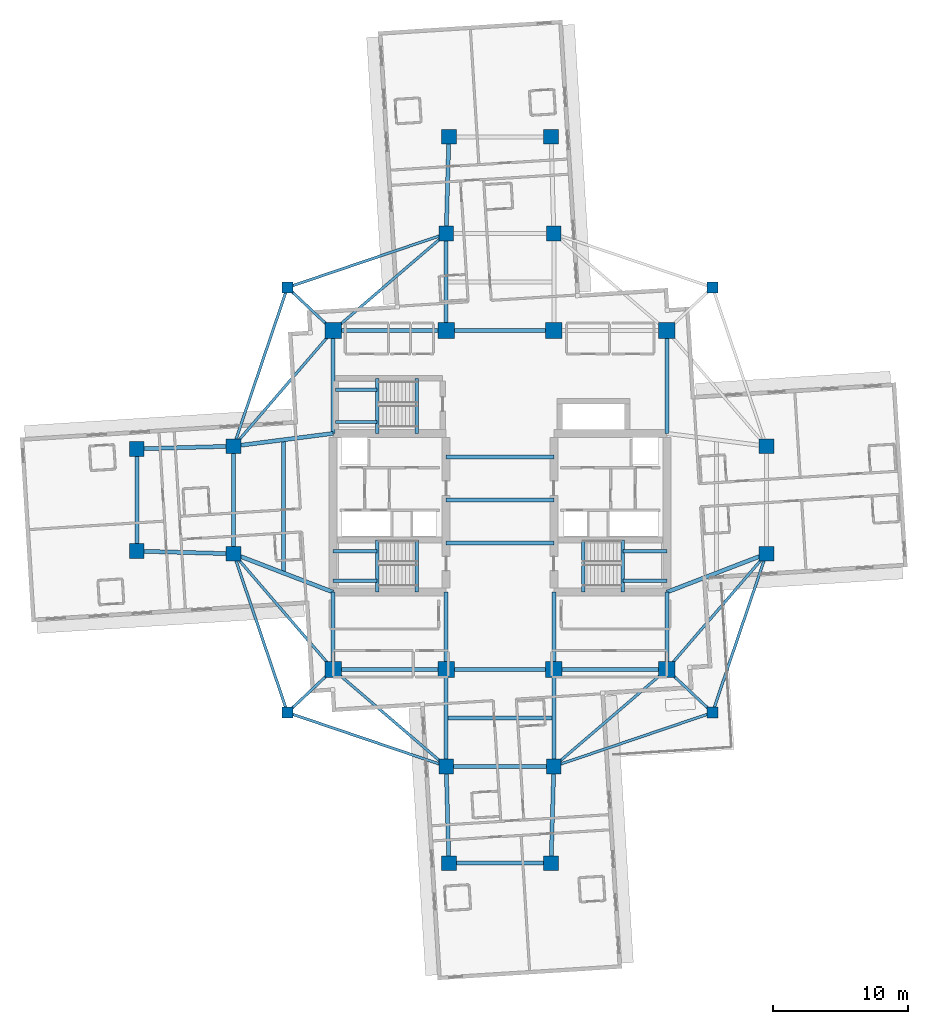
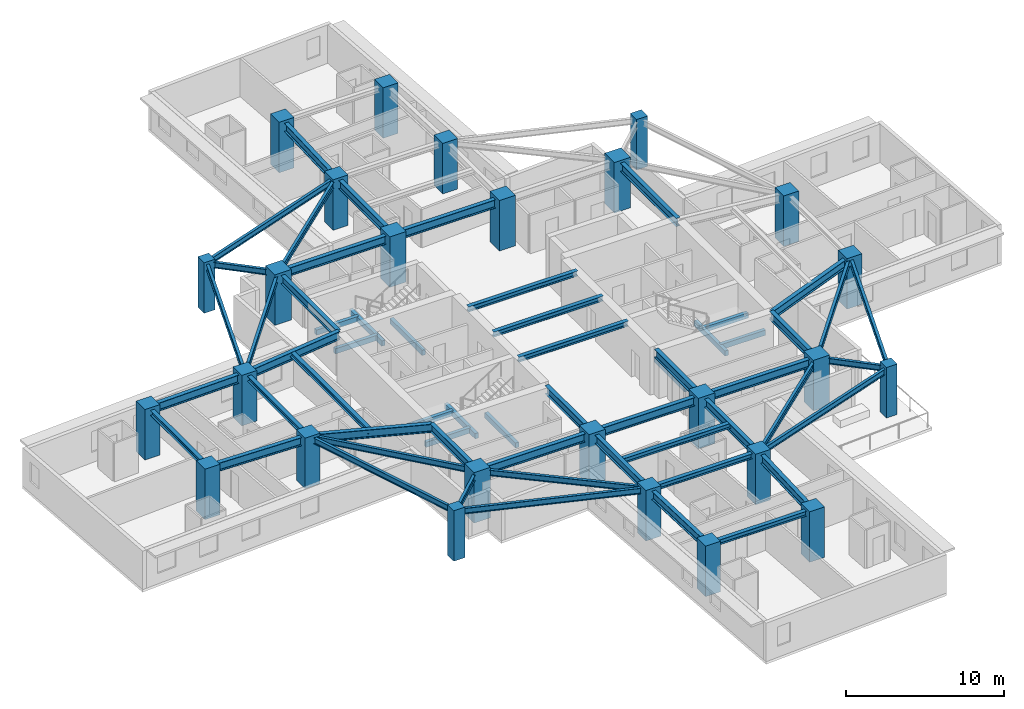
# One storey, part 1 of 14: 58 beams, 26 columns.
"""IFC4 building model written with IfcOpenShell, lengths in metres."""

from ifc_helpers import new_model, si_unit, direction, frame, origin, origin_2d, place, context, subcontext, project, spatial, rectangle, i_section, extrude, material, material_profile, profile_set, type_object, element, save


model = new_model("IFC4")

# Units and contexts
model_context = context("Model", 3, precision=1e-05, world=origin(), true_north=direction((0.0, 1.0)))
body_context = subcontext(model_context, "Body", "Model", "MODEL_VIEW")
ifc_project = project(units=[si_unit("LENGTHUNIT", "METRE"), si_unit("AREAUNIT", "SQUARE_METRE"), si_unit("VOLUMEUNIT", "CUBIC_METRE"), si_unit("PLANEANGLEUNIT", "RADIAN"), si_unit("MASSUNIT", "GRAM", prefix="KILO")], contexts=[model_context])

# Site, building, storey
site_placement = place(None, origin())
site = spatial("IfcSite", under=ifc_project, at=site_placement, CompositionType="ELEMENT")
building_placement = place(site_placement, origin())
building = spatial("IfcBuilding", under=site, at=building_placement, Name="Qingluan Cross Belvedere", CompositionType="ELEMENT")
storey_placement = place(building_placement, frame((0.0, 0.0, 120.300048828125)))
storey = spatial("IfcBuildingStorey", under=building, at=storey_placement, Name="L30", CompositionType="ELEMENT", Elevation=120.300048828125)

# Columns
ifc_material_1 = material(Name="Concrete C60", Category="concrete")
ifc_material_profile_1 = material_profile(ifc_material_1, rectangle(XDim=1.10009765625, YDim=1.10009765625, at=origin_2d()), Name="RC1100x1100")
ifc_profile_set_1 = profile_set([ifc_material_profile_1], Name="Concrete C60")
column_type_1 = type_object("IfcColumnType", Name="Column_RC1100x1100", PredefinedType="COLUMN", material=ifc_profile_set_1)
for number, where, z_axis, x_axis, name in (
    (1, (19.800048828125, -4.0, 0.0), (0.0, 0.0, 1.0), (1.0, 0.0, 0.0), "Arm column L30-EIA"),
    (2, (19.800048828125, 4.0, 0.0), (0.0, 0.0, 1.0), (1.0, 0.0, 0.0), "Arm column L30-EIB"),
    (3, (-19.800048828125, -4.0, 0.0), (0.0, 0.0, 1.0), (1.0, 0.0, 0.0), "Arm column L30-WIA"),
    (4, (-19.800048828125, 4.0, 0.0), (0.0, 0.0, 1.0), (1.0, 0.0, 0.0), "Arm column L30-WIB"),
    (5, (-4.0, -19.800048828125, 0.0), (0.0, 0.0, 1.0), (1.0, 0.0, 0.0), "Arm column L30-SIA"),
    (6, (4.0, -19.800048828125, 0.0), (0.0, 0.0, 1.0), (1.0, 0.0, 0.0), "Arm column L30-SIB"),
    (7, (-4.0, 19.800048828125, 0.0), (0.0, 0.0, 1.0), (1.0, 0.0, 0.0), "Arm column L30-NIA"),
    (8, (4.0, 19.800048828125, 0.0), (0.0, 0.0, 1.0), (1.0, 0.0, 0.0), "Arm column L30-NIB"),
    (9, (-27.0, -3.800048828125, 0.0), (0.0, 0.0, 1.0), (1.0, 0.0, 0.0), "Arm column L30-WOA"),
    (10, (-27.0, 3.800048828125, 0.0), (0.0, 0.0, 1.0), (1.0, 0.0, 0.0), "Arm column L30-WOB"),
    (11, (-3.800048828125, -27.0, 0.0), (0.0, 0.0, 1.0), (1.0, 0.0, 0.0), "Arm column L30-SOA"),
    (12, (3.800048828125, -27.0, 0.0), (0.0, 0.0, 1.0), (1.0, 0.0, 0.0), "Arm column L30-SOB"),
    (13, (-3.800048828125, 27.0, 0.0), (0.0, 0.0, 1.0), (1.0, 0.0, 0.0), "Arm column L30-NOA"),
    (14, (3.800048828125, 27.0, 0.0), (0.0, 0.0, 1.0), (1.0, 0.0, 0.0), "Arm column L30-NOB"),
):
    element("IfcColumn", number, at=place(storey_placement, frame(where, z_axis=z_axis, x_axis=x_axis)), inside=storey, type_object=column_type_1, Name=name, PredefinedType="COLUMN", context=body_context, shape_type="SweptSolid", body=[
        extrude(rectangle(XDim=1.10009765625, YDim=1.10009765625, at=origin_2d()), origin(), (0.0, 0.0, 1.0), 3.89990234375),
    ])
ifc_material_2 = material(Name="Concrete C60", Category="concrete")
ifc_material_profile_2 = material_profile(ifc_material_2, rectangle(XDim=1.199951171875, YDim=1.199951171875, at=origin_2d()), Name="RC1200x1200")
ifc_profile_set_2 = profile_set([ifc_material_profile_2], Name="Concrete C60")
column_type_2 = type_object("IfcColumnType", Name="Column_RC1200x1200", PredefinedType="COLUMN", material=ifc_profile_set_2)
for number, where, z_axis, x_axis, name in (
    (15, (-12.39990234375, -12.60009765625, 0.0), (0.0, 0.0, 1.0), (1.0, 0.0, 0.0), "Hub column L30-HC1"),
    (16, (12.39990234375, -12.60009765625, 0.0), (0.0, 0.0, 1.0), (1.0, 0.0, 0.0), "Hub column L30-HC2"),
    (17, (12.39990234375, 12.60009765625, 0.0), (0.0, 0.0, 1.0), (1.0, 0.0, 0.0), "Hub column L30-HC3"),
    (18, (-12.39990234375, 12.60009765625, 0.0), (0.0, 0.0, 1.0), (1.0, 0.0, 0.0), "Hub column L30-HC4"),
    (19, (-4.0, -12.60009765625, 0.0), (0.0, 0.0, 1.0), (1.0, 0.0, 0.0), "Hub column L30-HC5"),
    (20, (4.0, -12.60009765625, 0.0), (0.0, 0.0, 1.0), (1.0, 0.0, 0.0), "Hub column L30-HC6"),
    (21, (4.0, 12.60009765625, 0.0), (0.0, 0.0, 1.0), (1.0, 0.0, 0.0), "Hub column L30-HC7"),
    (22, (-4.0, 12.60009765625, 0.0), (0.0, 0.0, 1.0), (1.0, 0.0, 0.0), "Hub column L30-HC8"),
):
    element("IfcColumn", number, at=place(storey_placement, frame(where, z_axis=z_axis, x_axis=x_axis)), inside=storey, type_object=column_type_2, Name=name, PredefinedType="COLUMN", context=body_context, shape_type="SweptSolid", body=[
        extrude(rectangle(XDim=1.199951171875, YDim=1.199951171875, at=origin_2d()), origin(), (0.0, 0.0, 1.0), 3.89990234375),
    ])
ifc_material_3 = material(Name="Concrete C50", Category="concrete")
ifc_material_profile_3 = material_profile(ifc_material_3, rectangle(XDim=0.800048828125, YDim=0.800048828125, at=origin_2d()), Name="RC800x800")
ifc_profile_set_3 = profile_set([ifc_material_profile_3], Name="Concrete C50")
column_type_3 = type_object("IfcColumnType", Name="Column_RC800x800", PredefinedType="COLUMN", material=ifc_profile_set_3)
for number, where, z_axis, x_axis, name in (
    (23, (15.800048828125, 15.800048828125, 0.0), (0.0, 0.0, 1.0), (1.0, 0.0, 0.0), "Corner column L30-RNE"),
    (24, (-15.800048828125, 15.800048828125, 0.0), (0.0, 0.0, 1.0), (1.0, 0.0, 0.0), "Corner column L30-RNW"),
    (25, (-15.800048828125, -15.800048828125, 0.0), (0.0, 0.0, 1.0), (1.0, 0.0, 0.0), "Corner column L30-RSW"),
    (26, (15.800048828125, -15.800048828125, 0.0), (0.0, 0.0, 1.0), (1.0, 0.0, 0.0), "Corner column L30-RSE"),
):
    element("IfcColumn", number, at=place(storey_placement, frame(where, z_axis=z_axis, x_axis=x_axis)), inside=storey, type_object=column_type_3, Name=name, PredefinedType="COLUMN", context=body_context, shape_type="SweptSolid", body=[
        extrude(rectangle(XDim=0.800048828125, YDim=0.800048828125, at=origin_2d()), origin(), (0.0, 0.0, 1.0), 3.89990234375),
    ])

# Beams
ifc_material_4 = material(Name="Concrete C45", Category="concrete")
ifc_material_profile_4 = material_profile(ifc_material_4, rectangle(XDim=0.25, YDim=0.39990234375, at=origin_2d()), Name="RC250x400")
ifc_profile_set_4 = profile_set([ifc_material_profile_4], Name="Concrete C45")
beam_type_1 = type_object("IfcBeamType", Name="RC_Lintel_RC250x400", PredefinedType="LINTEL", material=ifc_profile_set_4)
for number, where, z_axis, x_axis, name in (
    (27, (-6.179931640625, -6.85009765625, -0.199951171875), (0.0, 1.0, 0.0), (-1.0, 0.0, 0.0), "Stair ST1 landing beam L30"),
    (28, (6.179931640625, -6.85009765625, -0.199951171875), (0.0, 1.0, 0.0), (-1.0, 0.0, 0.0), "Stair ST2 landing beam L30"),
):
    element("IfcBeam", number, at=place(storey_placement, frame(where, z_axis=z_axis, x_axis=x_axis)), inside=storey, type_object=beam_type_1, Name=name, PredefinedType="LINTEL", context=body_context, shape_type="SweptSolid", body=[
        extrude(rectangle(XDim=0.25, YDim=0.39990234375, at=origin_2d()), origin(), (0.0, 0.0, 1.0), 3.89013671875),
    ])
beam_1_placement = place(storey_placement, frame((-6.179931640625, 4.949951171875, -0.199951171875), z_axis=(0.0, 1.0, 0.0), x_axis=(-1.0, 0.0, 0.0)))
element("IfcBeam", 29, at=beam_1_placement, inside=storey, type_object=beam_type_1, Name="Stair ST3 landing beam L30", PredefinedType="LINTEL", context=body_context, shape_type="SweptSolid", body=[
    extrude(rectangle(XDim=0.25, YDim=0.39990234375, at=origin_2d()), origin(), (0.0, 0.0, 1.0), 4.090087890625),
])
beam_2_placement = place(storey_placement, frame((-9.1298828125, -6.85009765625, 1.550048828125), z_axis=(0.0, 1.0, 0.0), x_axis=(-1.0, 0.0, 0.0)))
element("IfcBeam", 30, at=beam_2_placement, inside=storey, type_object=beam_type_1, Name="Stair ST1 beam A L30", PredefinedType="LINTEL", context=body_context, shape_type="SweptSolid", body=[
    extrude(rectangle(XDim=0.25, YDim=0.39990234375, at=origin_2d()), origin(), (0.0, 0.0, 1.0), 3.89013671875),
])
for number, where, z_axis, x_axis, name in (
    (31, (-12.39990234375, -6.0, 1.550048828125), (1.0, 0.0, 0.0), (0.0, 1.0, 0.0), "Stair ST1 beam B L30"),
    (32, (-12.39990234375, -3.81005859375, 1.550048828125), (1.0, 0.0, 0.0), (0.0, 1.0, 0.0), "Stair ST1 beam C L30"),
):
    element("IfcBeam", number, at=place(storey_placement, frame(where, z_axis=z_axis, x_axis=x_axis)), inside=storey, type_object=beam_type_1, Name=name, PredefinedType="LINTEL", context=body_context, shape_type="SweptSolid", body=[
        extrude(rectangle(XDim=0.25, YDim=0.39990234375, at=origin_2d()), origin(), (0.0, 0.0, 1.0), 3.27001953125),
    ])
beam_3_placement = place(storey_placement, frame((9.1298828125, -6.85009765625, 1.550048828125), z_axis=(0.0, 1.0, 0.0), x_axis=(-1.0, 0.0, 0.0)))
element("IfcBeam", 33, at=beam_3_placement, inside=storey, type_object=beam_type_1, Name="Stair ST2 beam A L30", PredefinedType="LINTEL", context=body_context, shape_type="SweptSolid", body=[
    extrude(rectangle(XDim=0.25, YDim=0.39990234375, at=origin_2d()), origin(), (0.0, 0.0, 1.0), 3.89013671875),
])
for number, where, z_axis, x_axis, name in (
    (34, (12.39990234375, -6.0, 1.550048828125), (-1.0, 0.0, 0.0), (0.0, -1.0, 0.0), "Stair ST2 beam B L30"),
    (35, (12.39990234375, -3.81005859375, 1.550048828125), (-1.0, 0.0, 0.0), (0.0, -1.0, 0.0), "Stair ST2 beam C L30"),
):
    element("IfcBeam", number, at=place(storey_placement, frame(where, z_axis=z_axis, x_axis=x_axis)), inside=storey, type_object=beam_type_1, Name=name, PredefinedType="LINTEL", context=body_context, shape_type="SweptSolid", body=[
        extrude(rectangle(XDim=0.25, YDim=0.39990234375, at=origin_2d()), origin(), (0.0, 0.0, 1.0), 3.27001953125),
    ])
beam_4_placement = place(storey_placement, frame((-9.1298828125, 4.949951171875, 1.550048828125), z_axis=(0.0, 1.0, 0.0), x_axis=(-1.0, 0.0, 0.0)))
element("IfcBeam", 36, at=beam_4_placement, inside=storey, type_object=beam_type_1, Name="Stair ST3 beam A L30", PredefinedType="LINTEL", context=body_context, shape_type="SweptSolid", body=[
    extrude(rectangle(XDim=0.25, YDim=0.39990234375, at=origin_2d()), origin(), (0.0, 0.0, 1.0), 4.090087890625),
])
for number, where, z_axis, x_axis, name in (
    (37, (-12.219970703125, 5.800048828125, 1.550048828125), (1.0, 0.0, 0.0), (0.0, 1.0, 0.0), "Stair ST3 beam B L30"),
    (38, (-12.219970703125, 8.18994140625, 1.550048828125), (1.0, 0.0, 0.0), (0.0, 1.0, 0.0), "Stair ST3 beam C L30"),
):
    element("IfcBeam", number, at=place(storey_placement, frame(where, z_axis=z_axis, x_axis=x_axis)), inside=storey, type_object=beam_type_1, Name=name, PredefinedType="LINTEL", context=body_context, shape_type="SweptSolid", body=[
        extrude(rectangle(XDim=0.25, YDim=0.39990234375, at=origin_2d()), origin(), (0.0, 0.0, 1.0), 3.090087890625),
    ])
ifc_material_5 = material(Name="Steel Q420GJB", Category="steel")
ifc_material_profile_5 = material_profile(ifc_material_5, i_section(OverallWidth=0.300048828125, OverallDepth=0.389892578125, WebThickness=0.010009765625, FlangeThickness=0.01611328125, FilletRadius=0.01806640625, at=origin_2d()), Name="HM390x300x10x16")
ifc_profile_set_5 = profile_set([ifc_material_profile_5], Name="Steel Q420GJB")
beam_type_2 = type_object("IfcBeamType", Name="Steel_Beam_HM390x300x10x16", PredefinedType="BEAM", material=ifc_profile_set_5)
for number, where, z_axis, x_axis, name in (
    (39, (-4.0, -3.199951171875, 3.5048828125), (1.0, 0.0, 0.0), (0.0, 1.0, 0.0), "Hall beam L30-CH1"),
    (40, (-4.0, 0.0, 3.5048828125), (1.0, 0.0, 0.0), (0.0, 1.0, 0.0), "Hall beam L30-CH2"),
    (41, (-4.0, 3.199951171875, 3.5048828125), (1.0, 0.0, 0.0), (0.0, 1.0, 0.0), "Hall beam L30-CH3"),
    (42, (-19.800048828125, -4.0, 3.5048828125), (0.0, 1.0, 0.0), (-1.0, 0.0, 0.0), "Arm W tie L30"),
):
    element("IfcBeam", number, at=place(storey_placement, frame(where, z_axis=z_axis, x_axis=x_axis)), inside=storey, type_object=beam_type_2, Name=name, PredefinedType="BEAM", context=body_context, shape_type="SweptSolid", body=[
        extrude(i_section(OverallWidth=0.300048828125, OverallDepth=0.389892578125, WebThickness=0.010009765625, FlangeThickness=0.01611328125, FilletRadius=0.01806640625, at=origin_2d()), origin(), (0.0, 0.0, 1.0), 8.0),
    ])
beam_5_placement = place(storey_placement, frame((-16.10009765625, -5.425048828125, 3.5048828125), z_axis=(0.0, 1.0, 0.0), x_axis=(-1.0, 0.0, 0.0)))
element("IfcBeam", 43, at=beam_5_placement, inside=storey, type_object=beam_type_2, Name="Arm W beam L30", PredefinedType="BEAM", context=body_context, shape_type="SweptSolid", body=[
    extrude(i_section(OverallWidth=0.300048828125, OverallDepth=0.389892578125, WebThickness=0.010009765625, FlangeThickness=0.01611328125, FilletRadius=0.01806640625, at=origin_2d()), origin(), (0.0, 0.0, 1.0), 9.900146484375),
])
beam_6_placement = place(storey_placement, frame((-27.0, -3.800048828125, 3.5048828125), z_axis=(0.0, 1.0, 0.0), x_axis=(-1.0, 0.0, 0.0)))
element("IfcBeam", 44, at=beam_6_placement, inside=storey, type_object=beam_type_2, Name="Arm W tip transverse beam L30", PredefinedType="BEAM", context=body_context, shape_type="SweptSolid", body=[
    extrude(i_section(OverallWidth=0.300048828125, OverallDepth=0.389892578125, WebThickness=0.010009765625, FlangeThickness=0.01611328125, FilletRadius=0.01806640625, at=origin_2d()), origin(), (0.0, 0.0, 1.0), 7.60009765625),
])
for number, where, z_axis, x_axis, name in (
    (45, (-4.0, -19.800048828125, 3.5048828125), (1.0, 0.0, 0.0), (0.0, 1.0, 0.0), "Arm S tie L30"),
    (46, (-4.0, -16.199951171875, 3.5048828125), (1.0, 0.0, 0.0), (0.0, 1.0, 0.0), "Arm S beam L30"),
):
    element("IfcBeam", number, at=place(storey_placement, frame(where, z_axis=z_axis, x_axis=x_axis)), inside=storey, type_object=beam_type_2, Name=name, PredefinedType="BEAM", context=body_context, shape_type="SweptSolid", body=[
        extrude(i_section(OverallWidth=0.300048828125, OverallDepth=0.389892578125, WebThickness=0.010009765625, FlangeThickness=0.01611328125, FilletRadius=0.01806640625, at=origin_2d()), origin(), (0.0, 0.0, 1.0), 8.0),
    ])
beam_7_placement = place(storey_placement, frame((-3.800048828125, -27.0, 3.5048828125), z_axis=(1.0, 0.0, 0.0), x_axis=(0.0, 1.0, 0.0)))
element("IfcBeam", 47, at=beam_7_placement, inside=storey, type_object=beam_type_2, Name="Arm S tip transverse beam L30", PredefinedType="BEAM", context=body_context, shape_type="SweptSolid", body=[
    extrude(i_section(OverallWidth=0.300048828125, OverallDepth=0.389892578125, WebThickness=0.010009765625, FlangeThickness=0.01611328125, FilletRadius=0.01806640625, at=origin_2d()), origin(), (0.0, 0.0, 1.0), 7.60009765625),
])
ifc_material_6 = material(Name="Steel Q420GJB", Category="steel")
ifc_material_profile_6 = material_profile(ifc_material_6, i_section(OverallWidth=0.199951171875, OverallDepth=0.449951171875, WebThickness=0.009033203125, FlangeThickness=0.013916015625, FilletRadius=0.01611328125, at=origin_2d()), Name="HN450x200x9x14")
ifc_profile_set_6 = profile_set([ifc_material_profile_6], Name="Steel Q420GJB")
beam_type_3 = type_object("IfcBeamType", Name="Steel_Beam_HN450x200x9x14", PredefinedType="JOIST", material=ifc_profile_set_6)
beam_8_placement = place(storey_placement, frame((-12.39990234375, 12.60009765625, 3.474853515625), z_axis=(-0.728219948308, 0.685343495546, 0.0), x_axis=(-0.685343495546, -0.728219948308, 0.0)))
element("IfcBeam", 48, at=beam_8_placement, inside=storey, type_object=beam_type_3, Name="Corner beam 1 L30-RNW", PredefinedType="JOIST", context=body_context, shape_type="SweptSolid", body=[
    extrude(i_section(OverallWidth=0.199951171875, OverallDepth=0.449951171875, WebThickness=0.009033203125, FlangeThickness=0.013916015625, FilletRadius=0.01611328125, at=origin_2d()), origin(), (0.0, 0.0, 1.0), 4.669189453125),
])
for number, where, z_axis, x_axis, name in (
    (49, (-15.800048828125, 15.800048828125, 3.474853515625), (0.947066283324, 0.321038089628, 0.0), (-0.321038089628, 0.947066283324, 0.0), "Corner beam 2 L30-RNW"),
    (50, (-15.800048828125, 15.800048828125, 3.474853515625), (-0.321038089628, -0.947066283324, 0.0), (0.947066283324, -0.321038089628, 0.0), "Corner beam 3 L30-RNW"),
):
    element("IfcBeam", number, at=place(storey_placement, frame(where, z_axis=z_axis, x_axis=x_axis)), inside=storey, type_object=beam_type_3, Name=name, PredefinedType="JOIST", context=body_context, shape_type="SweptSolid", body=[
        extrude(i_section(OverallWidth=0.199951171875, OverallDepth=0.449951171875, WebThickness=0.009033203125, FlangeThickness=0.013916015625, FilletRadius=0.01611328125, at=origin_2d()), origin(), (0.0, 0.0, 1.0), 12.45947265625),
    ])
beam_9_placement = place(storey_placement, frame((-12.39990234375, 12.60009765625, 3.474853515625), z_axis=(-0.652245077546, -0.75800815221, 0.0), x_axis=(0.75800815221, -0.652245077546, 0.0)))
element("IfcBeam", 51, at=beam_9_placement, inside=storey, type_object=beam_type_3, Name="Corner beam 4 L30-RNW", PredefinedType="JOIST", context=body_context, shape_type="SweptSolid", body=[
    extrude(i_section(OverallWidth=0.199951171875, OverallDepth=0.449951171875, WebThickness=0.009033203125, FlangeThickness=0.013916015625, FilletRadius=0.01611328125, at=origin_2d()), origin(), (0.0, 0.0, 1.0), 11.345703125),
])
beam_10_placement = place(storey_placement, frame((-12.39990234375, 12.60009765625, 3.474853515625), z_axis=(0.759255044656, 0.650793190779, 0.0), x_axis=(-0.650793190779, 0.759255044656, 0.0)))
element("IfcBeam", 52, at=beam_10_placement, inside=storey, type_object=beam_type_3, Name="Corner beam 5 L30-RNW", PredefinedType="JOIST", context=body_context, shape_type="SweptSolid", body=[
    extrude(i_section(OverallWidth=0.199951171875, OverallDepth=0.449951171875, WebThickness=0.009033203125, FlangeThickness=0.013916015625, FilletRadius=0.01611328125, at=origin_2d()), origin(), (0.0, 0.0, 1.0), 11.063232421875),
])
beam_11_placement = place(storey_placement, frame((-12.39990234375, -12.60009765625, 3.474853515625), z_axis=(-0.728219948308, -0.685343495546, 0.0), x_axis=(0.685343495546, -0.728219948308, 0.0)))
element("IfcBeam", 53, at=beam_11_placement, inside=storey, type_object=beam_type_3, Name="Corner beam 1 L30-RSW", PredefinedType="JOIST", context=body_context, shape_type="SweptSolid", body=[
    extrude(i_section(OverallWidth=0.199951171875, OverallDepth=0.449951171875, WebThickness=0.009033203125, FlangeThickness=0.013916015625, FilletRadius=0.01611328125, at=origin_2d()), origin(), (0.0, 0.0, 1.0), 4.669189453125),
])
for number, where, z_axis, x_axis, name in (
    (54, (-15.800048828125, -15.800048828125, 3.474853515625), (0.947066283324, -0.321038089628, 0.0), (0.321038089628, 0.947066283324, 0.0), "Corner beam 2 L30-RSW"),
    (55, (-15.800048828125, -15.800048828125, 3.474853515625), (-0.321038089628, 0.947066283324, 0.0), (-0.947066283324, -0.321038089628, 0.0), "Corner beam 3 L30-RSW"),
):
    element("IfcBeam", number, at=place(storey_placement, frame(where, z_axis=z_axis, x_axis=x_axis)), inside=storey, type_object=beam_type_3, Name=name, PredefinedType="JOIST", context=body_context, shape_type="SweptSolid", body=[
        extrude(i_section(OverallWidth=0.199951171875, OverallDepth=0.449951171875, WebThickness=0.009033203125, FlangeThickness=0.013916015625, FilletRadius=0.01611328125, at=origin_2d()), origin(), (0.0, 0.0, 1.0), 12.45947265625),
    ])
beam_12_placement = place(storey_placement, frame((-12.39990234375, -12.60009765625, 3.474853515625), z_axis=(-0.652245077546, 0.75800815221, 0.0), x_axis=(-0.75800815221, -0.652245077546, 0.0)))
element("IfcBeam", 56, at=beam_12_placement, inside=storey, type_object=beam_type_3, Name="Corner beam 4 L30-RSW", PredefinedType="JOIST", context=body_context, shape_type="SweptSolid", body=[
    extrude(i_section(OverallWidth=0.199951171875, OverallDepth=0.449951171875, WebThickness=0.009033203125, FlangeThickness=0.013916015625, FilletRadius=0.01611328125, at=origin_2d()), origin(), (0.0, 0.0, 1.0), 11.345703125),
])
beam_13_placement = place(storey_placement, frame((-12.39990234375, -12.60009765625, 3.474853515625), z_axis=(0.759255044656, -0.650793190779, 0.0), x_axis=(0.650793190779, 0.759255044656, 0.0)))
element("IfcBeam", 57, at=beam_13_placement, inside=storey, type_object=beam_type_3, Name="Corner beam 5 L30-RSW", PredefinedType="JOIST", context=body_context, shape_type="SweptSolid", body=[
    extrude(i_section(OverallWidth=0.199951171875, OverallDepth=0.449951171875, WebThickness=0.009033203125, FlangeThickness=0.013916015625, FilletRadius=0.01611328125, at=origin_2d()), origin(), (0.0, 0.0, 1.0), 11.063232421875),
])
beam_14_placement = place(storey_placement, frame((12.39990234375, -12.60009765625, 3.454833984375), z_axis=(0.728219948308, -0.685343495546, 0.0), x_axis=(0.685343495546, 0.728219948308, 0.0)))
element("IfcBeam", 58, at=beam_14_placement, inside=storey, type_object=beam_type_3, Name="Corner beam 1 L30-RSE", PredefinedType="JOIST", context=body_context, shape_type="SweptSolid", body=[
    extrude(i_section(OverallWidth=0.199951171875, OverallDepth=0.449951171875, WebThickness=0.009033203125, FlangeThickness=0.013916015625, FilletRadius=0.01611328125, at=origin_2d()), origin(), (0.0, 0.0, 1.0), 4.669189453125),
])
for number, where, z_axis, x_axis, name in (
    (59, (15.800048828125, -15.800048828125, 3.454833984375), (-0.947066283324, -0.321038089628, 0.0), (0.321038089628, -0.947066283324, 0.0), "Corner beam 2 L30-RSE"),
    (60, (15.800048828125, -15.800048828125, 3.454833984375), (0.321038089628, 0.947066283324, 0.0), (-0.947066283324, 0.321038089628, 0.0), "Corner beam 3 L30-RSE"),
):
    element("IfcBeam", number, at=place(storey_placement, frame(where, z_axis=z_axis, x_axis=x_axis)), inside=storey, type_object=beam_type_3, Name=name, PredefinedType="JOIST", context=body_context, shape_type="SweptSolid", body=[
        extrude(i_section(OverallWidth=0.199951171875, OverallDepth=0.449951171875, WebThickness=0.009033203125, FlangeThickness=0.013916015625, FilletRadius=0.01611328125, at=origin_2d()), origin(), (0.0, 0.0, 1.0), 12.45947265625),
    ])
beam_15_placement = place(storey_placement, frame((12.39990234375, -12.60009765625, 3.454833984375), z_axis=(0.652245077546, 0.75800815221, 0.0), x_axis=(-0.75800815221, 0.652245077546, 0.0)))
element("IfcBeam", 61, at=beam_15_placement, inside=storey, type_object=beam_type_3, Name="Corner beam 4 L30-RSE", PredefinedType="JOIST", context=body_context, shape_type="SweptSolid", body=[
    extrude(i_section(OverallWidth=0.199951171875, OverallDepth=0.449951171875, WebThickness=0.009033203125, FlangeThickness=0.013916015625, FilletRadius=0.01611328125, at=origin_2d()), origin(), (0.0, 0.0, 1.0), 11.345703125),
])
beam_16_placement = place(storey_placement, frame((12.39990234375, -12.60009765625, 3.454833984375), z_axis=(-0.759255044656, -0.650793190779, 0.0), x_axis=(0.650793190779, -0.759255044656, 0.0)))
element("IfcBeam", 62, at=beam_16_placement, inside=storey, type_object=beam_type_3, Name="Corner beam 5 L30-RSE", PredefinedType="JOIST", context=body_context, shape_type="SweptSolid", body=[
    extrude(i_section(OverallWidth=0.199951171875, OverallDepth=0.449951171875, WebThickness=0.009033203125, FlangeThickness=0.013916015625, FilletRadius=0.01611328125, at=origin_2d()), origin(), (0.0, 0.0, 1.0), 11.063232421875),
])
ifc_material_7 = material(Name="Steel Q420GJB", Category="steel")
ifc_material_profile_7 = material_profile(ifc_material_7, i_section(OverallWidth=0.300048828125, OverallDepth=0.64990234375, WebThickness=0.014404296875, FlangeThickness=0.02587890625, FilletRadius=0.027099609375, at=origin_2d()), Name="HEB650")
ifc_profile_set_7 = profile_set([ifc_material_profile_7], Name="Steel Q420GJB")
beam_type_4 = type_object("IfcBeamType", Name="Steel_Girder_HEB650", PredefinedType="USERDEFINED", material=ifc_profile_set_7)
beam_17_placement = place(storey_placement, frame((-12.39990234375, -12.60009765625, 3.375), z_axis=(1.0, 0.0, 0.0), x_axis=(0.0, 1.0, 0.0)))
element("IfcBeam", 63, at=beam_17_placement, inside=storey, type_object=beam_type_4, Name="Hub girder L30-HG-S1", ObjectType="GIRDER", PredefinedType="USERDEFINED", context=body_context, shape_type="SweptSolid", body=[
    extrude(i_section(OverallWidth=0.300048828125, OverallDepth=0.64990234375, WebThickness=0.014404296875, FlangeThickness=0.02587890625, FilletRadius=0.027099609375, at=origin_2d()), origin(), (0.0, 0.0, 1.0), 8.39990234375),
])
beam_18_placement = place(storey_placement, frame((-4.0, -12.60009765625, 3.375), z_axis=(1.0, 0.0, 0.0), x_axis=(0.0, 1.0, 0.0)))
element("IfcBeam", 64, at=beam_18_placement, inside=storey, type_object=beam_type_4, Name="Hub girder L30-HG-S2", ObjectType="GIRDER", PredefinedType="USERDEFINED", context=body_context, shape_type="SweptSolid", body=[
    extrude(i_section(OverallWidth=0.300048828125, OverallDepth=0.64990234375, WebThickness=0.014404296875, FlangeThickness=0.02587890625, FilletRadius=0.027099609375, at=origin_2d()), origin(), (0.0, 0.0, 1.0), 8.0),
])
for number, where, z_axis, x_axis, name in (
    (65, (4.0, -12.60009765625, 3.375), (1.0, 0.0, 0.0), (0.0, 1.0, 0.0), "Hub girder L30-HG-S3"),
    (66, (-12.39990234375, 12.60009765625, 3.375), (1.0, 0.0, 0.0), (0.0, 1.0, 0.0), "Hub girder L30-HG-N1"),
):
    element("IfcBeam", number, at=place(storey_placement, frame(where, z_axis=z_axis, x_axis=x_axis)), inside=storey, type_object=beam_type_4, Name=name, ObjectType="GIRDER", PredefinedType="USERDEFINED", context=body_context, shape_type="SweptSolid", body=[
        extrude(i_section(OverallWidth=0.300048828125, OverallDepth=0.64990234375, WebThickness=0.014404296875, FlangeThickness=0.02587890625, FilletRadius=0.027099609375, at=origin_2d()), origin(), (0.0, 0.0, 1.0), 8.39990234375),
    ])
beam_19_placement = place(storey_placement, frame((-4.0, 12.60009765625, 3.375), z_axis=(1.0, 0.0, 0.0), x_axis=(0.0, 1.0, 0.0)))
element("IfcBeam", 67, at=beam_19_placement, inside=storey, type_object=beam_type_4, Name="Hub girder L30-HG-N2", ObjectType="GIRDER", PredefinedType="USERDEFINED", context=body_context, shape_type="SweptSolid", body=[
    extrude(i_section(OverallWidth=0.300048828125, OverallDepth=0.64990234375, WebThickness=0.014404296875, FlangeThickness=0.02587890625, FilletRadius=0.027099609375, at=origin_2d()), origin(), (0.0, 0.0, 1.0), 8.0),
])
beam_20_placement = place(storey_placement, frame((-12.39990234375, -12.60009765625, 3.375), z_axis=(0.0, 1.0, 0.0), x_axis=(-1.0, 0.0, 0.0)))
element("IfcBeam", 68, at=beam_20_placement, inside=storey, type_object=beam_type_4, Name="Hub girder L30-HG-W1", ObjectType="GIRDER", PredefinedType="USERDEFINED", context=body_context, shape_type="SweptSolid", body=[
    extrude(i_section(OverallWidth=0.300048828125, OverallDepth=0.64990234375, WebThickness=0.014404296875, FlangeThickness=0.02587890625, FilletRadius=0.027099609375, at=origin_2d()), origin(), (0.0, 0.0, 1.0), 5.75),
])
beam_21_placement = place(storey_placement, frame((-12.39990234375, 4.949951171875, 3.375), z_axis=(0.0, 1.0, 0.0), x_axis=(-1.0, 0.0, 0.0)))
element("IfcBeam", 69, at=beam_21_placement, inside=storey, type_object=beam_type_4, Name="Hub girder L30-HG-W2", ObjectType="GIRDER", PredefinedType="USERDEFINED", context=body_context, shape_type="SweptSolid", body=[
    extrude(i_section(OverallWidth=0.300048828125, OverallDepth=0.64990234375, WebThickness=0.014404296875, FlangeThickness=0.02587890625, FilletRadius=0.027099609375, at=origin_2d()), origin(), (0.0, 0.0, 1.0), 7.650146484375),
])
beam_22_placement = place(storey_placement, frame((12.39990234375, -12.60009765625, 3.375), z_axis=(0.0, 1.0, 0.0), x_axis=(-1.0, 0.0, 0.0)))
element("IfcBeam", 70, at=beam_22_placement, inside=storey, type_object=beam_type_4, Name="Hub girder L30-HG-E1", ObjectType="GIRDER", PredefinedType="USERDEFINED", context=body_context, shape_type="SweptSolid", body=[
    extrude(i_section(OverallWidth=0.300048828125, OverallDepth=0.64990234375, WebThickness=0.014404296875, FlangeThickness=0.02587890625, FilletRadius=0.027099609375, at=origin_2d()), origin(), (0.0, 0.0, 1.0), 5.75),
])
beam_23_placement = place(storey_placement, frame((12.39990234375, 4.949951171875, 3.375), z_axis=(0.0, 1.0, 0.0), x_axis=(-1.0, 0.0, 0.0)))
element("IfcBeam", 71, at=beam_23_placement, inside=storey, type_object=beam_type_4, Name="Hub girder L30-HG-E2", ObjectType="GIRDER", PredefinedType="USERDEFINED", context=body_context, shape_type="SweptSolid", body=[
    extrude(i_section(OverallWidth=0.300048828125, OverallDepth=0.64990234375, WebThickness=0.014404296875, FlangeThickness=0.02587890625, FilletRadius=0.027099609375, at=origin_2d()), origin(), (0.0, 0.0, 1.0), 7.650146484375),
])
for number, where, z_axis, x_axis, name in (
    (72, (-4.0, -12.60009765625, 3.375), (0.0, 1.0, 0.0), (-1.0, 0.0, 0.0), "Hub girder L30-HG-CW"),
    (73, (4.0, -12.60009765625, 3.375), (0.0, 1.0, 0.0), (-1.0, 0.0, 0.0), "Hub girder L30-HG-CE"),
):
    element("IfcBeam", number, at=place(storey_placement, frame(where, z_axis=z_axis, x_axis=x_axis)), inside=storey, type_object=beam_type_4, Name=name, ObjectType="GIRDER", PredefinedType="USERDEFINED", context=body_context, shape_type="SweptSolid", body=[
        extrude(i_section(OverallWidth=0.300048828125, OverallDepth=0.64990234375, WebThickness=0.014404296875, FlangeThickness=0.02587890625, FilletRadius=0.027099609375, at=origin_2d()), origin(), (0.0, 0.0, 1.0), 5.75),
    ])
for number, where, z_axis, x_axis, name in (
    (74, (12.39990234375, -6.85009765625, 3.35498046875), (0.933181258889, 0.359406090735, 0.0), (-0.359406090735, 0.933181258889, 0.0), "Arm E radial girder A L30"),
    (75, (-12.39990234375, -6.85009765625, 3.375), (-0.933181258889, 0.359406090735, 0.0), (-0.359406090735, -0.933181258889, 0.0), "Arm W radial girder A L30"),
):
    element("IfcBeam", number, at=place(storey_placement, frame(where, z_axis=z_axis, x_axis=x_axis)), inside=storey, type_object=beam_type_4, Name=name, ObjectType="GIRDER", PredefinedType="USERDEFINED", context=body_context, shape_type="SweptSolid", body=[
        extrude(i_section(OverallWidth=0.300048828125, OverallDepth=0.64990234375, WebThickness=0.014404296875, FlangeThickness=0.02587890625, FilletRadius=0.027099609375, at=origin_2d()), origin(), (0.0, 0.0, 1.0), 7.929931640625),
    ])
beam_24_placement = place(storey_placement, frame((-12.39990234375, 4.949951171875, 3.375), z_axis=(-0.991861120628, -0.12732445714, 0.0), x_axis=(0.12732445714, -0.991861120628, 0.0)))
element("IfcBeam", 76, at=beam_24_placement, inside=storey, type_object=beam_type_4, Name="Arm W radial girder B L30", ObjectType="GIRDER", PredefinedType="USERDEFINED", context=body_context, shape_type="SweptSolid", body=[
    extrude(i_section(OverallWidth=0.300048828125, OverallDepth=0.64990234375, WebThickness=0.014404296875, FlangeThickness=0.02587890625, FilletRadius=0.027099609375, at=origin_2d()), origin(), (0.0, 0.0, 1.0), 7.4609375),
])
for number, where, z_axis, x_axis, name in (
    (77, (-19.800048828125, -4.0, 3.375), (-0.999614603568, 0.027760481514, 0.0), (-0.027760481514, -0.999614603568, 0.0), "Arm W outer radial girder A L30"),
    (78, (-19.800048828125, 4.0, 3.375), (-0.999614603568, -0.027760481514, 0.0), (0.027760481514, -0.999614603568, 0.0), "Arm W outer radial girder B L30"),
):
    element("IfcBeam", number, at=place(storey_placement, frame(where, z_axis=z_axis, x_axis=x_axis)), inside=storey, type_object=beam_type_4, Name=name, ObjectType="GIRDER", PredefinedType="USERDEFINED", context=body_context, shape_type="SweptSolid", body=[
        extrude(i_section(OverallWidth=0.300048828125, OverallDepth=0.64990234375, WebThickness=0.014404296875, FlangeThickness=0.02587890625, FilletRadius=0.027099609375, at=origin_2d()), origin(), (0.0, 0.0, 1.0), 7.20263671875),
    ])
beam_25_placement = place(storey_placement, frame((-4.0, 12.60009765625, 3.375), z_axis=(0.0, 1.0, 0.0), x_axis=(-1.0, 0.0, 0.0)))
element("IfcBeam", 79, at=beam_25_placement, inside=storey, type_object=beam_type_4, Name="Arm N radial girder A L30", ObjectType="GIRDER", PredefinedType="USERDEFINED", context=body_context, shape_type="SweptSolid", body=[
    extrude(i_section(OverallWidth=0.300048828125, OverallDepth=0.64990234375, WebThickness=0.014404296875, FlangeThickness=0.02587890625, FilletRadius=0.027099609375, at=origin_2d()), origin(), (0.0, 0.0, 1.0), 7.199951171875),
])
beam_26_placement = place(storey_placement, frame((-4.0, 19.800048828125, 3.375), z_axis=(0.027760481514, 0.999614603568, 0.0), x_axis=(-0.999614603568, 0.027760481514, 0.0)))
element("IfcBeam", 80, at=beam_26_placement, inside=storey, type_object=beam_type_4, Name="Arm N outer radial girder A L30", ObjectType="GIRDER", PredefinedType="USERDEFINED", context=body_context, shape_type="SweptSolid", body=[
    extrude(i_section(OverallWidth=0.300048828125, OverallDepth=0.64990234375, WebThickness=0.014404296875, FlangeThickness=0.02587890625, FilletRadius=0.027099609375, at=origin_2d()), origin(), (0.0, 0.0, 1.0), 7.20263671875),
])
for number, where, z_axis, x_axis, name in (
    (81, (-4.0, -12.60009765625, 3.375), (0.0, -1.0, 0.0), (1.0, 0.0, 0.0), "Arm S radial girder A L30"),
    (82, (4.0, -12.60009765625, 3.375), (0.0, -1.0, 0.0), (1.0, 0.0, 0.0), "Arm S radial girder B L30"),
):
    element("IfcBeam", number, at=place(storey_placement, frame(where, z_axis=z_axis, x_axis=x_axis)), inside=storey, type_object=beam_type_4, Name=name, ObjectType="GIRDER", PredefinedType="USERDEFINED", context=body_context, shape_type="SweptSolid", body=[
        extrude(i_section(OverallWidth=0.300048828125, OverallDepth=0.64990234375, WebThickness=0.014404296875, FlangeThickness=0.02587890625, FilletRadius=0.027099609375, at=origin_2d()), origin(), (0.0, 0.0, 1.0), 7.199951171875),
    ])
for number, where, z_axis, x_axis, name in (
    (83, (-4.0, -19.800048828125, 3.375), (0.027760481514, -0.999614603568, 0.0), (0.999614603568, 0.027760481514, 0.0), "Arm S outer radial girder A L30"),
    (84, (4.0, -19.800048828125, 3.375), (-0.027760481514, -0.999614603568, 0.0), (0.999614603568, -0.027760481514, 0.0), "Arm S outer radial girder B L30"),
):
    element("IfcBeam", number, at=place(storey_placement, frame(where, z_axis=z_axis, x_axis=x_axis)), inside=storey, type_object=beam_type_4, Name=name, ObjectType="GIRDER", PredefinedType="USERDEFINED", context=body_context, shape_type="SweptSolid", body=[
        extrude(i_section(OverallWidth=0.300048828125, OverallDepth=0.64990234375, WebThickness=0.014404296875, FlangeThickness=0.02587890625, FilletRadius=0.027099609375, at=origin_2d()), origin(), (0.0, 0.0, 1.0), 7.20263671875),
    ])

save(model, "model.ifc")
